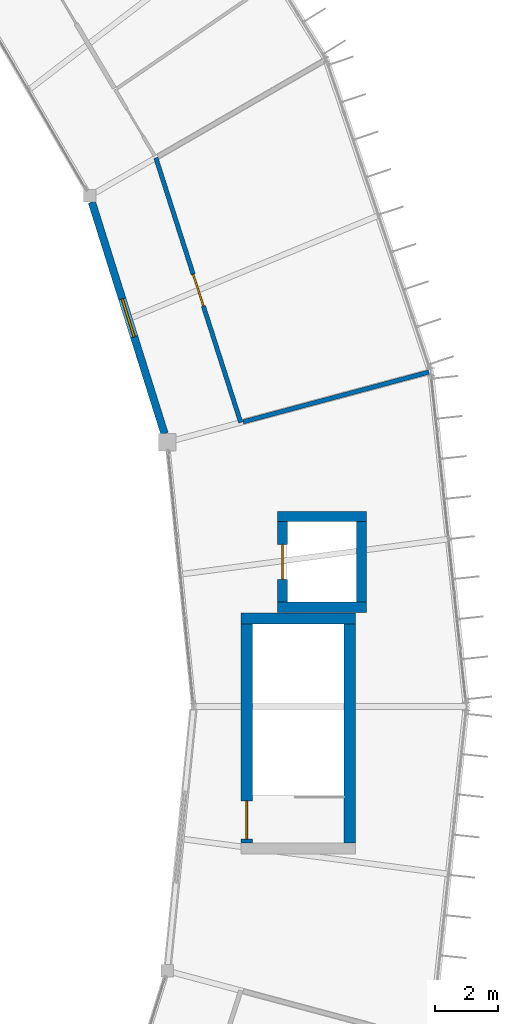
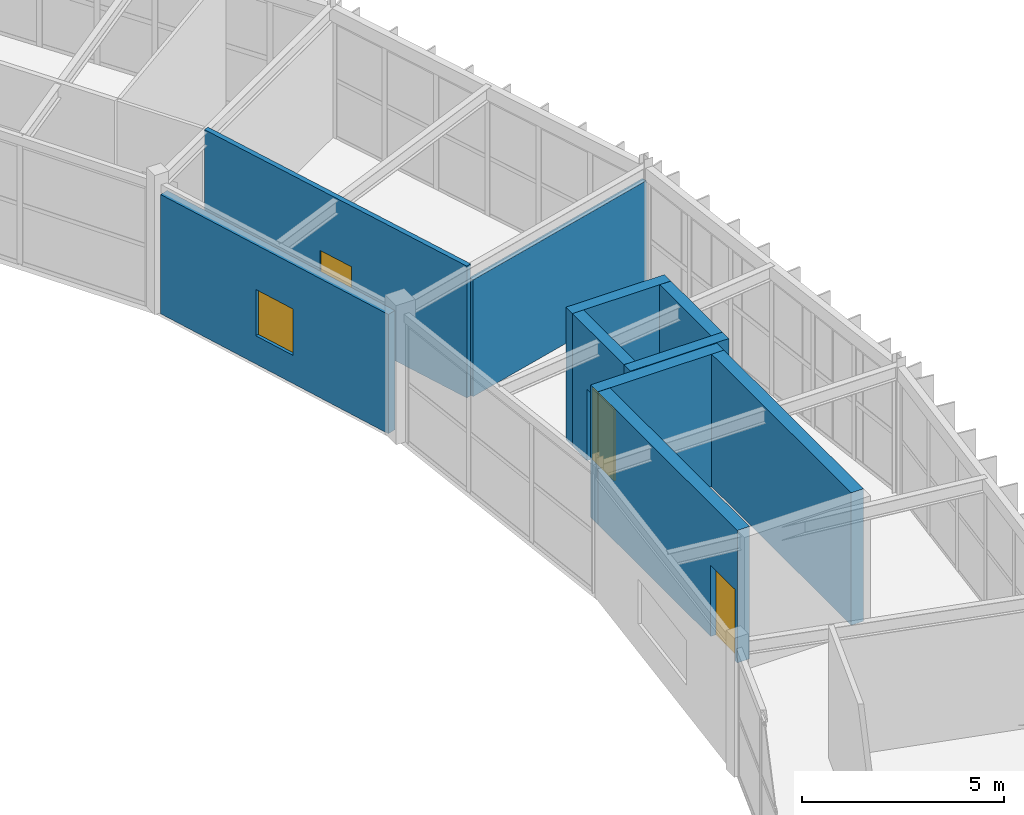
# One storey, part 57 of 66: 10 walls, 3 doors, 1 window, 4 openings.
"""IFC4 building model written with IfcOpenShell, lengths in metres."""

from ifc_helpers import new_model, si_unit, direction, frame, frame_2d, origin, place, context, subcontext, project, spatial, rectangle, extrude, material, layer, layer_set, type_object, element, fill, save


model = new_model("IFC4")

# Units and contexts
model_context = context("Model", 3, precision=1e-05, world=origin(), true_north=direction((0.0, 1.0)))
body_context = subcontext(model_context, "Body", "Model", "MODEL_VIEW")
ifc_project = project(units=[si_unit("LENGTHUNIT", "METRE"), si_unit("AREAUNIT", "SQUARE_METRE"), si_unit("VOLUMEUNIT", "CUBIC_METRE"), si_unit("PLANEANGLEUNIT", "RADIAN"), si_unit("MASSUNIT", "GRAM", prefix="KILO")], contexts=[model_context])

# Site, building, storey
site_placement = place(None, origin())
site = spatial("IfcSite", under=ifc_project, at=site_placement, CompositionType="ELEMENT")
building_placement = place(site_placement, origin())
building = spatial("IfcBuilding", under=site, at=building_placement, Name="Karori Crest Natural Sciences Institute", CompositionType="ELEMENT")
storey_placement = place(building_placement, frame((0.0, 0.0, 30.10009765625)))
storey = spatial("IfcBuildingStorey", under=building, at=storey_placement, Name="L07", CompositionType="ELEMENT", Elevation=30.10009765625)

# Wall
ifc_material_1 = material(Name="Concrete 50 MPa", Category="concrete")
ifc_layer_1 = layer(ifc_material_1, 0.35009765625, Name="Concrete 50 MPa")
ifc_layer_set_1 = layer_set([ifc_layer_1], Name="Concrete 50 MPa")
wall_type_1 = type_object("IfcWallType", Name="IWT-02", PredefinedType="SHEAR", material=ifc_layer_set_1)
wall_1_placement = place(storey_placement, frame((92.300048828125, 52.675048828125, 0.0), z_axis=(0.0, 0.0, 1.0), x_axis=(1.0, 0.0, 0.0)))
element("IfcWall", 1, at=wall_1_placement, inside=storey, type_object=wall_type_1, Name="Shear wall IW-0034", PredefinedType="SHEAR", context=body_context, shape_type="SweptSolid", body=[
    extrude(rectangle(XDim=3.599853515625, YDim=0.35009765625, at=frame_2d((1.7998046875, 0.0))), origin(), (0.0, 0.0, 1.0), 4.0),
])

# Wall, opening, door
wall_2_placement = place(storey_placement, frame((92.47509765625, 45.60205078125, 0.0), z_axis=(0.0, 0.0, 1.0), x_axis=(0.0, 1.0, 0.0)))
wall_2 = element("IfcWall", 2, at=wall_2_placement, inside=storey, type_object=wall_type_1, Name="Shear wall IW-0035", PredefinedType="SHEAR", context=body_context, shape_type="SweptSolid", body=[
    extrude(rectangle(XDim=6.89599609375, YDim=0.35009765625, at=frame_2d((3.447998046875, 0.0))), origin(), (0.0, 0.0, 1.0), 4.0),
])
opening_1_placement = place(wall_2_placement, frame((0.1201171875, 0.0, 0.0)))
opening_1 = element("IfcOpeningElement", 3, at=opening_1_placement, cuts=wall_2, Name="Opening ID-0009", PredefinedType="OPENING", context=body_context, shape_type="SweptSolid", body=[
    extrude(rectangle(XDim=1.199951171875, YDim=2.14990234375, at=frame_2d((0.60009765625, 1.074951171875))), frame((0.0, 0.18505859375, 0.0), z_axis=(0.0, -1.0, 0.0), x_axis=(1.0, 0.0, 0.0)), (0.0, 0.0, 1.0), 0.3701171875),
])
ifc_material_2 = material(Name="Stainless steel 316 and fire-rated timber", Category="steel")
door_type_1 = type_object("IfcDoorType", Name="IDT-01", OperationType="NOTDEFINED", PredefinedType="DOOR", material=ifc_material_2)
door_1_placement = place(opening_1_placement, origin())
door_1 = element("IfcDoor", 4, at=door_1_placement, inside=storey, type_object=door_type_1, Name="Stair ST-01 fire door ID-0009", OperationType="SINGLE_SWING_LEFT", OverallHeight=2.14990234375, OverallWidth=1.199951171875, PredefinedType="DOOR", context=body_context, shape_type="SweptSolid", body=[
    extrude(rectangle(XDim=1.199951171875, YDim=2.14990234375, at=frame_2d((0.60009765625, 1.074951171875))), frame((0.0, 0.02490234375, 0.0), z_axis=(0.0, -1.0, 0.0), x_axis=(1.0, 0.0, 0.0)), (0.0, 0.0, 1.0), 0.050048828125),
])
fill(opening_1, door_1)

# Walls
wall_3_placement = place(storey_placement, frame((95.72509765625, 45.60205078125, 0.0), z_axis=(0.0, 0.0, 1.0), x_axis=(0.0, 1.0, 0.0)))
element("IfcWall", 5, at=wall_3_placement, inside=storey, type_object=wall_type_1, Name="Shear wall IW-0036", PredefinedType="SHEAR", context=body_context, shape_type="SweptSolid", body=[
    extrude(rectangle(XDim=6.89599609375, YDim=0.35009765625, at=frame_2d((3.447998046875, 0.0))), origin(), (0.0, 0.0, 1.0), 4.0),
])
ifc_layer_2 = layer(ifc_material_1, 0.320068359375, Name="Concrete 50 MPa")
ifc_layer_set_2 = layer_set([ifc_layer_2], Name="Concrete 50 MPa")
wall_type_2 = type_object("IfcWallType", Name="IWT-03", PredefinedType="SHEAR", material=ifc_layer_set_2)
for number, where, z_axis, x_axis, name in (
    (6, (93.445068359375, 53.030029296875, 0.0), (0.0, 0.0, 1.0), (1.0, 0.0, 0.0), "Shear wall IW-0433"),
    (7, (93.445068359375, 55.89501953125, 0.0), (0.0, 0.0, 1.0), (1.0, 0.0, 0.0), "Shear wall IW-0434"),
):
    element("IfcWall", number, at=place(storey_placement, frame(where, z_axis=z_axis, x_axis=x_axis)), inside=storey, type_object=wall_type_2, Name=name, PredefinedType="SHEAR", context=body_context, shape_type="SweptSolid", body=[
        extrude(rectangle(XDim=2.809814453125, YDim=0.320068359375, at=frame_2d((1.40478515625, 0.0))), origin(), (0.0, 0.0, 1.0), 4.0),
    ])

# Wall, opening, door
wall_4_placement = place(storey_placement, frame((93.60498046875, 53.19189453125, 0.0), z_axis=(0.0, 0.0, 1.0), x_axis=(0.0, 1.0, 0.0)))
wall_4 = element("IfcWall", 8, at=wall_4_placement, inside=storey, type_object=wall_type_2, Name="Shear wall IW-0435", PredefinedType="SHEAR", context=body_context, shape_type="SweptSolid", body=[
    extrude(rectangle(XDim=2.541015625, YDim=0.320068359375, at=frame_2d((1.2705078125, 0.0))), origin(), (0.0, 0.0, 1.0), 4.0),
])
opening_2_placement = place(wall_4_placement, frame((0.720458984375, 0.0, 0.0)))
opening_2 = element("IfcOpeningElement", 9, at=opening_2_placement, cuts=wall_4, Name="Opening LD-0033", PredefinedType="OPENING", context=body_context, shape_type="SweptSolid", body=[
    extrude(rectangle(XDim=1.10009765625, YDim=2.14990234375, at=frame_2d((0.550048828125, 1.074951171875))), frame((0.0, 0.169921875, 0.0), z_axis=(0.0, -1.0, 0.0), x_axis=(1.0, 0.0, 0.0)), (0.0, 0.0, 1.0), 0.340087890625),
])
door_type_2 = type_object("IfcDoorType", Name="LDT-01", OperationType="SLIDING_TO_LEFT", PredefinedType="DOOR", material=ifc_material_2)
door_2_placement = place(opening_2_placement, origin())
door_2 = element("IfcDoor", 10, at=door_2_placement, inside=storey, type_object=door_type_2, Name="Lift LP-01 landing door LD-0033", OperationType="SLIDING_TO_LEFT", OverallHeight=2.14990234375, OverallWidth=1.10009765625, PredefinedType="DOOR", context=body_context, shape_type="SweptSolid", body=[
    extrude(rectangle(XDim=1.10009765625, YDim=2.14990234375, at=frame_2d((0.550048828125, 1.074951171875))), frame((0.0, 0.02490234375, 0.0), z_axis=(0.0, -1.0, 0.0), x_axis=(1.0, 0.0, 0.0)), (0.0, 0.0, 1.0), 0.050048828125),
])
fill(opening_2, door_2)

# Wall
wall_5_placement = place(storey_placement, frame((96.094970703125, 53.19189453125, 0.0), z_axis=(0.0, 0.0, 1.0), x_axis=(0.0, 1.0, 0.0)))
element("IfcWall", 11, at=wall_5_placement, inside=storey, type_object=wall_type_2, Name="Shear wall IW-0436", PredefinedType="SHEAR", context=body_context, shape_type="SweptSolid", body=[
    extrude(rectangle(XDim=2.541015625, YDim=0.320068359375, at=frame_2d((1.2705078125, 0.0))), origin(), (0.0, 0.0, 1.0), 4.0),
])

# Wall, opening, door
ifc_material_3 = material(Name="Laboratory acoustic drywall partition")
ifc_layer_3 = layer(ifc_material_3, 0.139892578125, Name="Laboratory acoustic drywall partition")
ifc_layer_set_3 = layer_set([ifc_layer_3], Name="Laboratory acoustic drywall partition")
wall_type_3 = type_object("IfcWallType", Name="IWT-07", PredefinedType="PARTITIONING", material=ifc_layer_set_3)
wall_6_placement = place(storey_placement, frame((92.286865234375, 58.85498046875, 0.0), z_axis=(0.0, 0.0, 1.0), x_axis=(-0.30548522006, 0.952196818061, 0.0)))
wall_6 = element("IfcWall", 12, at=wall_6_placement, inside=storey, type_object=wall_type_3, Name="Partition wall IW-1443", PredefinedType="PARTITIONING", context=body_context, shape_type="SweptSolid", body=[
    extrude(rectangle(XDim=8.763916015625, YDim=0.139892578125, at=frame_2d((4.3818359375, 0.0))), origin(), (0.0, 0.0, 1.0), 3.97998046875),
])
opening_3_placement = place(wall_6_placement, frame((3.85693359375, 0.0, 0.0)))
opening_3 = element("IfcOpeningElement", 13, at=opening_3_placement, cuts=wall_6, Name="Opening ID-0463", PredefinedType="OPENING", context=body_context, shape_type="SweptSolid", body=[
    extrude(rectangle(XDim=1.050048828125, YDim=2.14990234375, at=frame_2d((0.52490234375, 1.074951171875))), frame((0.0, 0.080078125, 0.0), z_axis=(0.0, -1.0, 0.0), x_axis=(1.0, 0.0, 0.0)), (0.0, 0.0, 1.0), 0.159912109375),
])
door_type_3 = type_object("IfcDoorType", Name="IDT-03", OperationType="NOTDEFINED", PredefinedType="DOOR", material=ifc_material_2)
door_3_placement = place(opening_3_placement, origin())
door_3 = element("IfcDoor", 14, at=door_3_placement, inside=storey, type_object=door_type_3, Name="Mass Spectrometry Instrument Room door ID-0463", OperationType="SINGLE_SWING_RIGHT", OverallHeight=2.14990234375, OverallWidth=1.050048828125, PredefinedType="DOOR", context=body_context, shape_type="SweptSolid", body=[
    extrude(rectangle(XDim=1.050048828125, YDim=2.14990234375, at=frame_2d((0.52490234375, 1.074951171875))), frame((0.0, 0.02490234375, 0.0), z_axis=(0.0, -1.0, 0.0), x_axis=(1.0, 0.0, 0.0)), (0.0, 0.0, 1.0), 0.050048828125),
])
fill(opening_3, door_3)

# Wall
wall_7_placement = place(storey_placement, frame((92.364013671875, 58.875732421875, 0.0), z_axis=(0.0, 0.0, 1.0), x_axis=(0.96591927772, 0.258843483457, 0.0)))
element("IfcWall", 15, at=wall_7_placement, inside=storey, type_object=wall_type_3, Name="Partition wall IW-1444", PredefinedType="PARTITIONING", context=body_context, shape_type="SweptSolid", body=[
    extrude(rectangle(XDim=6.06005859375, YDim=0.139892578125, at=frame_2d((3.030029296875, 0.0))), origin(), (0.0, 0.0, 1.0), 3.52197265625),
])

# Wall, opening, window
ifc_material_4 = material(Name="Precast concrete 40 MPa", Category="concrete")
ifc_layer_4 = layer(ifc_material_4, 0.239990234375, Name="Precast concrete 40 MPa")
ifc_layer_set_4 = layer_set([ifc_layer_4], Name="Precast concrete 40 MPa")
wall_type_4 = type_object("IfcWallType", Name="WT-04", PredefinedType="SOLIDWALL", material=ifc_layer_set_4)
wall_8_placement = place(storey_placement, frame((89.8828125, 58.507080078125, 0.0), z_axis=(0.0, 0.0, 1.0), x_axis=(-0.299452933333, 0.954111073575, 0.0)))
wall_8 = element("IfcWall", 16, at=wall_8_placement, inside=storey, type_object=wall_type_4, Name="Exterior wall EW-0111", PredefinedType="SOLIDWALL", context=body_context, shape_type="SweptSolid", body=[
    extrude(rectangle(XDim=7.645751953125, YDim=0.239990234375, at=frame_2d((3.82275390625, 0.0))), origin(), (0.0, 0.0, 1.0), 3.599853515625),
])
opening_4_placement = place(wall_8_placement, frame((3.197998046875, 0.0, 0.85009765625)))
opening_4 = element("IfcOpeningElement", 17, at=opening_4_placement, cuts=wall_8, Name="Opening WN-0054", PredefinedType="OPENING", context=body_context, shape_type="SweptSolid", body=[
    extrude(rectangle(XDim=1.25, YDim=1.39990234375, at=frame_2d((0.625, 0.699951171875))), frame((0.0, 0.1298828125, 0.0), z_axis=(0.0, -1.0, 0.0), x_axis=(1.0, 0.0, 0.0)), (0.0, 0.0, 1.0), 0.260009765625),
])
ifc_material_5 = material(Name="Double low-E laminated glass", Category="glass")
window_type = type_object("IfcWindowType", Name="WNT-02", PartitioningType="SINGLE_PANEL", PredefinedType="WINDOW", material=ifc_material_5)
window_placement = place(opening_4_placement, origin())
window = element("IfcWindow", 18, at=window_placement, inside=storey, type_object=window_type, Name="Window WN-0054", OverallHeight=1.39990234375, OverallWidth=1.25, PartitioningType="SINGLE_PANEL", PredefinedType="WINDOW", context=body_context, shape_type="SweptSolid", body=[
    extrude(rectangle(XDim=1.25, YDim=1.39990234375, at=frame_2d((0.625, 0.699951171875))), frame((0.0, 0.030029296875, 0.0), z_axis=(0.0, -1.0, 0.0), x_axis=(1.0, 0.0, 0.0)), (0.0, 0.0, 1.0), 0.06005859375),
])
fill(opening_4, window)

save(model, "model.ifc")
